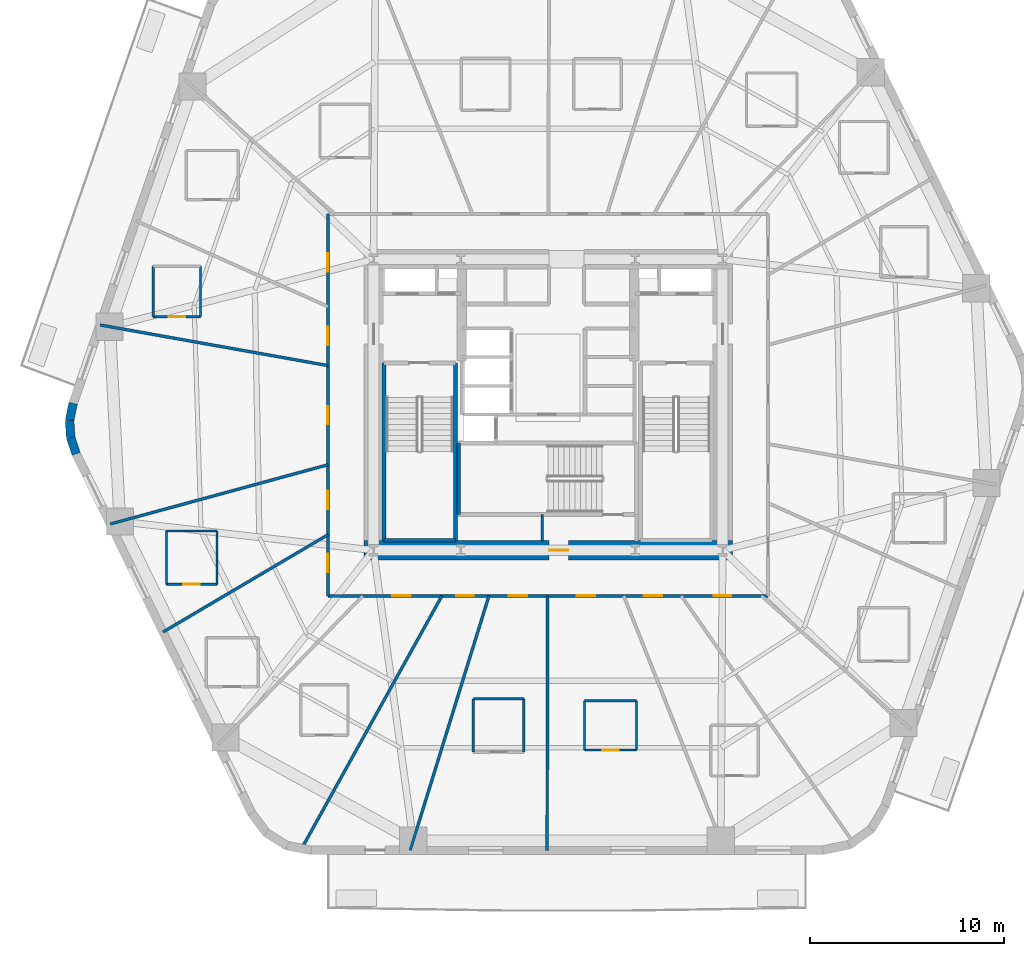
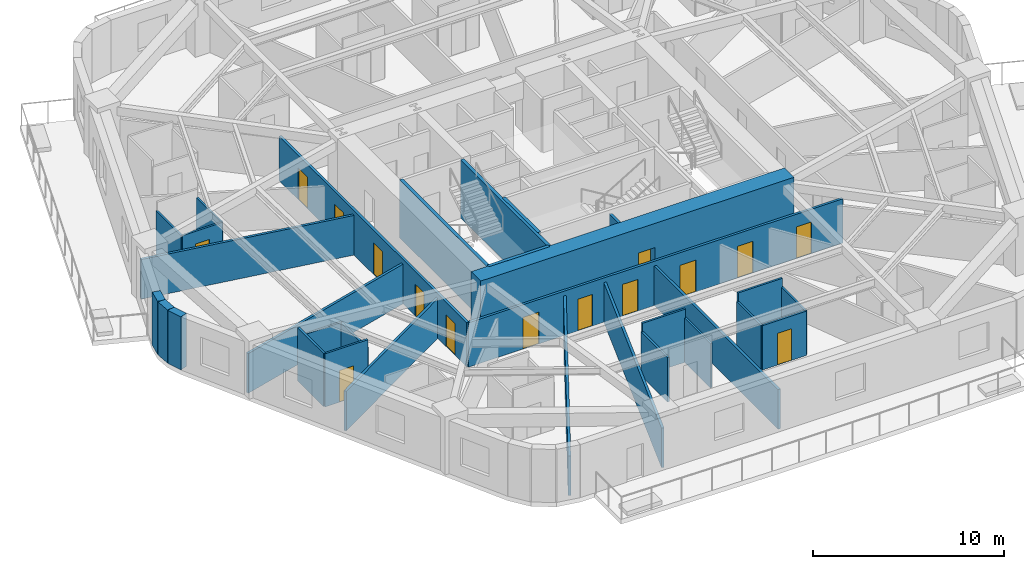
# One storey, part 3 of 11: 31 walls, 15 doors, 15 openings.
"""IFC4 building model written with IfcOpenShell, lengths in metres."""

from ifc_helpers import new_model, si_unit, direction, frame, frame_2d, origin, place, context, subcontext, project, spatial, rectangle, extrude, material, layer, layer_set, type_object, element, fill, save


model = new_model("IFC4")

# Units and contexts
model_context = context("Model", 3, precision=1e-05, world=origin(), true_north=direction((0.0, 1.0)))
body_context = subcontext(model_context, "Body", "Model", "MODEL_VIEW")
ifc_project = project(units=[si_unit("LENGTHUNIT", "METRE"), si_unit("AREAUNIT", "SQUARE_METRE"), si_unit("VOLUMEUNIT", "CUBIC_METRE"), si_unit("PLANEANGLEUNIT", "RADIAN"), si_unit("MASSUNIT", "GRAM", prefix="KILO")], contexts=[model_context])

# Site, building, storey
site_placement = place(None, origin())
site = spatial("IfcSite", under=ifc_project, at=site_placement, CompositionType="ELEMENT")
building_placement = place(site_placement, origin())
building = spatial("IfcBuilding", under=site, at=building_placement, Name="Kilnhurst Terrace Hotel", CompositionType="ELEMENT")
storey_placement = place(building_placement, frame((0.0, 0.0, 34.199951171875)))
storey = spatial("IfcBuildingStorey", under=building, at=storey_placement, Name="L06", CompositionType="ELEMENT", Elevation=34.199951171875)

# Walls
ifc_material_1 = material(Name="Precast concrete C40/50", Category="concrete")
ifc_layer_1 = layer(ifc_material_1, 0.449951171875, Name="Precast concrete C40/50")
ifc_layer_set_1 = layer_set([ifc_layer_1], Name="Precast concrete C40/50")
wall_type_1 = type_object("IfcWallType", Name="WL-BRK-450", PredefinedType="SOLIDWALL", material=ifc_layer_set_1)
wall_1_placement = place(storey_placement, frame((-24.49560546875, 0.07666015625, 0.0), z_axis=(0.0, 0.0, 1.0), x_axis=(-0.199570594521, -0.979883451132, 0.0)))
element("IfcWall", 1, at=wall_1_placement, inside=storey, type_object=wall_type_1, Name="L06 Rounded Corner Brick Wall C6.1", PredefinedType="SOLIDWALL", context=body_context, shape_type="SweptSolid", body=[
    extrude(rectangle(XDim=0.896728515625, YDim=0.449951171875, at=frame_2d((0.4482421875, 0.0))), origin(), (0.0, 0.0, 1.0), 3.400146484375),
])
wall_2_placement = place(storey_placement, frame((-24.674560546875, -0.802001953125, 0.0), z_axis=(0.0, 0.0, 1.0), x_axis=(0.061188874166, -0.998126205286, 0.0)))
element("IfcWall", 2, at=wall_2_placement, inside=storey, type_object=wall_type_1, Name="L06 Rounded Corner Brick Wall C6.2", PredefinedType="SOLIDWALL", context=body_context, shape_type="SweptSolid", body=[
    extrude(rectangle(XDim=0.8818359375, YDim=0.449951171875, at=frame_2d((0.44091796875, 0.0))), origin(), (0.0, 0.0, 1.0), 3.400146484375),
])
wall_3_placement = place(storey_placement, frame((-24.62060546875, -1.68212890625, 0.0), z_axis=(0.0, 0.0, 1.0), x_axis=(0.317697451681, -0.948192137278, 0.0)))
element("IfcWall", 3, at=wall_3_placement, inside=storey, type_object=wall_type_1, Name="L06 Rounded Corner Brick Wall C6.3", PredefinedType="SOLIDWALL", context=body_context, shape_type="SweptSolid", body=[
    extrude(rectangle(XDim=0.896728515625, YDim=0.449951171875, at=frame_2d((0.4482421875, 0.0))), origin(), (0.0, 0.0, 1.0), 3.400146484375),
])

# Wall, openings, doors
ifc_material_2 = material(Name="Acoustic Double-Gypsum Corridor Partition Assembly")
ifc_layer_2 = layer(ifc_material_2, 0.14990234375, Name="Acoustic Double-Gypsum Corridor Partition Assembly")
ifc_layer_set_2 = layer_set([ifc_layer_2], Name="Acoustic Double-Gypsum Corridor Partition Assembly")
wall_type_2 = type_object("IfcWallType", Name="WL-COR-150", PredefinedType="PARTITIONING", material=ifc_layer_set_2)
wall_4_placement = place(storey_placement, frame((-11.35009765625, -9.85009765625, 0.0), z_axis=(0.0, 0.0, 1.0), x_axis=(0.0, 1.0, 0.0)))
wall_4 = element("IfcWall", 4, at=wall_4_placement, inside=storey, type_object=wall_type_2, Name="L06 Interior Wall WL-L06-COR-01", PredefinedType="PARTITIONING", context=body_context, shape_type="SweptSolid", body=[
    extrude(rectangle(XDim=19.7001953125, YDim=0.14990234375, at=frame_2d((9.85009765625, 0.0))), origin(), (0.0, 0.0, 1.0), 2.840087890625),
])
opening_1_placement = place(wall_4_placement, frame((16.714111328125, 0.0, 0.0)))
opening_1 = element("IfcOpeningElement", 5, at=opening_1_placement, cuts=wall_4, Name="Opening D-60B", PredefinedType="OPENING", context=body_context, shape_type="SweptSolid", body=[
    extrude(rectangle(XDim=0.949951171875, YDim=2.030029296875, at=frame_2d((0.47509765625, 1.01513671875))), frame((0.0, 0.0849609375, 0.0), z_axis=(0.0, -1.0, 0.0), x_axis=(1.0, 0.0, 0.0)), (0.0, 0.0, 1.0), 0.169921875),
])
opening_2_placement = place(wall_4_placement, frame((12.931884765625, 0.0, 0.0)))
opening_2 = element("IfcOpeningElement", 6, at=opening_2_placement, cuts=wall_4, Name="Opening D-60B", PredefinedType="OPENING", context=body_context, shape_type="SweptSolid", body=[
    extrude(rectangle(XDim=0.949951171875, YDim=2.030029296875, at=frame_2d((0.47509765625, 1.01513671875))), frame((0.0, 0.0849609375, 0.0), z_axis=(0.0, -1.0, 0.0), x_axis=(1.0, 0.0, 0.0)), (0.0, 0.0, 1.0), 0.169921875),
])
opening_3_placement = place(wall_4_placement, frame((8.837890625, 0.0, 0.0)))
opening_3 = element("IfcOpeningElement", 7, at=opening_3_placement, cuts=wall_4, Name="Opening D-60B", PredefinedType="OPENING", context=body_context, shape_type="SweptSolid", body=[
    extrude(rectangle(XDim=0.949951171875, YDim=2.030029296875, at=frame_2d((0.47509765625, 1.01513671875))), frame((0.0, 0.0849609375, 0.0), z_axis=(0.0, -1.0, 0.0), x_axis=(1.0, 0.0, 0.0)), (0.0, 0.0, 1.0), 0.169921875),
])
opening_4_placement = place(wall_4_placement, frame((4.4609375, 0.0, 0.0)))
opening_4 = element("IfcOpeningElement", 8, at=opening_4_placement, cuts=wall_4, Name="Opening D-60B", PredefinedType="OPENING", context=body_context, shape_type="SweptSolid", body=[
    extrude(rectangle(XDim=0.949951171875, YDim=2.030029296875, at=frame_2d((0.47509765625, 1.01513671875))), frame((0.0, 0.0849609375, 0.0), z_axis=(0.0, -1.0, 0.0), x_axis=(1.0, 0.0, 0.0)), (0.0, 0.0, 1.0), 0.169921875),
])
opening_5_placement = place(wall_4_placement, frame((1.220947265625, 0.0, 0.0)))
opening_5 = element("IfcOpeningElement", 9, at=opening_5_placement, cuts=wall_4, Name="Opening D-60B", PredefinedType="OPENING", context=body_context, shape_type="SweptSolid", body=[
    extrude(rectangle(XDim=0.949951171875, YDim=2.030029296875, at=frame_2d((0.47509765625, 1.01513671875))), frame((0.0, 0.0849609375, 0.0), z_axis=(0.0, -1.0, 0.0), x_axis=(1.0, 0.0, 0.0)), (0.0, 0.0, 1.0), 0.169921875),
])
ifc_material_3 = material(Name="Acoustic Walnut Veneer Solid-Core Fire Door")
door_type_1 = type_object("IfcDoorType", Name="DR-FD60-950", OperationType="NOTDEFINED", PredefinedType="DOOR", material=ifc_material_3)
door_1_placement = place(opening_1_placement, origin())
door_1 = element("IfcDoor", 10, at=door_1_placement, inside=storey, type_object=door_type_1, Name="L06 Guest Room Entry Door 8", OperationType="SINGLE_SWING_RIGHT", OverallHeight=2.030029296875, OverallWidth=0.949951171875, PredefinedType="DOOR", context=body_context, shape_type="SweptSolid", body=[
    extrude(rectangle(XDim=0.949951171875, YDim=2.030029296875, at=frame_2d((0.47509765625, 1.01513671875))), frame((0.0, 0.02490234375, 0.0), z_axis=(0.0, -1.0, 0.0), x_axis=(1.0, 0.0, 0.0)), (0.0, 0.0, 1.0), 0.050048828125),
])
fill(opening_1, door_1)
door_2_placement = place(opening_2_placement, origin())
door_2 = element("IfcDoor", 11, at=door_2_placement, inside=storey, type_object=door_type_1, Name="L06 Guest Room Entry Door 9", OperationType="SINGLE_SWING_LEFT", OverallHeight=2.030029296875, OverallWidth=0.949951171875, PredefinedType="DOOR", context=body_context, shape_type="SweptSolid", body=[
    extrude(rectangle(XDim=0.949951171875, YDim=2.030029296875, at=frame_2d((0.47509765625, 1.01513671875))), frame((0.0, 0.02490234375, 0.0), z_axis=(0.0, -1.0, 0.0), x_axis=(1.0, 0.0, 0.0)), (0.0, 0.0, 1.0), 0.050048828125),
])
fill(opening_2, door_2)
door_3_placement = place(opening_3_placement, origin())
door_3 = element("IfcDoor", 12, at=door_3_placement, inside=storey, type_object=door_type_1, Name="L06 Club Reading Lounge Door", OperationType="SINGLE_SWING_RIGHT", OverallHeight=2.030029296875, OverallWidth=0.949951171875, PredefinedType="DOOR", context=body_context, shape_type="SweptSolid", body=[
    extrude(rectangle(XDim=0.949951171875, YDim=2.030029296875, at=frame_2d((0.47509765625, 1.01513671875))), frame((0.0, 0.02490234375, 0.0), z_axis=(0.0, -1.0, 0.0), x_axis=(1.0, 0.0, 0.0)), (0.0, 0.0, 1.0), 0.050048828125),
])
fill(opening_3, door_3)
door_4_placement = place(opening_4_placement, origin())
door_4 = element("IfcDoor", 13, at=door_4_placement, inside=storey, type_object=door_type_1, Name="L06 Guest Room Entry Door 11", OperationType="SINGLE_SWING_LEFT", OverallHeight=2.030029296875, OverallWidth=0.949951171875, PredefinedType="DOOR", context=body_context, shape_type="SweptSolid", body=[
    extrude(rectangle(XDim=0.949951171875, YDim=2.030029296875, at=frame_2d((0.47509765625, 1.01513671875))), frame((0.0, 0.02490234375, 0.0), z_axis=(0.0, -1.0, 0.0), x_axis=(1.0, 0.0, 0.0)), (0.0, 0.0, 1.0), 0.050048828125),
])
fill(opening_4, door_4)
door_5_placement = place(opening_5_placement, origin())
door_5 = element("IfcDoor", 14, at=door_5_placement, inside=storey, type_object=door_type_1, Name="L06 Guest Room Entry Door 12", OperationType="SINGLE_SWING_RIGHT", OverallHeight=2.030029296875, OverallWidth=0.949951171875, PredefinedType="DOOR", context=body_context, shape_type="SweptSolid", body=[
    extrude(rectangle(XDim=0.949951171875, YDim=2.030029296875, at=frame_2d((0.47509765625, 1.01513671875))), frame((0.0, 0.02490234375, 0.0), z_axis=(0.0, -1.0, 0.0), x_axis=(1.0, 0.0, 0.0)), (0.0, 0.0, 1.0), 0.050048828125),
])
fill(opening_5, door_5)

wall_5_placement = place(storey_placement, frame((11.35009765625, -9.85009765625, 0.0), z_axis=(0.0, 0.0, 1.0), x_axis=(-1.0, 0.0, 0.0)))
wall_5 = element("IfcWall", 15, at=wall_5_placement, inside=storey, type_object=wall_type_2, Name="L06 Interior Wall WL-L06-COR-04", PredefinedType="PARTITIONING", context=body_context, shape_type="SweptSolid", body=[
    extrude(rectangle(XDim=22.7001953125, YDim=0.14990234375, at=frame_2d((11.35009765625, 0.0))), origin(), (0.0, 0.0, 1.0), 2.840087890625),
])
opening_6_placement = place(wall_5_placement, frame((18.43603515625, 0.0, 0.0)))
opening_6 = element("IfcOpeningElement", 16, at=opening_6_placement, cuts=wall_5, Name="Opening D-60B", PredefinedType="OPENING", context=body_context, shape_type="SweptSolid", body=[
    extrude(rectangle(XDim=0.949951171875, YDim=2.030029296875, at=frame_2d((0.47509765625, 1.01513671875))), frame((0.0, 0.0849609375, 0.0), z_axis=(0.0, -1.0, 0.0), x_axis=(1.0, 0.0, 0.0)), (0.0, 0.0, 1.0), 0.169921875),
])
opening_7_placement = place(wall_5_placement, frame((15.176025390625, 0.0, 0.0)))
opening_7 = element("IfcOpeningElement", 17, at=opening_7_placement, cuts=wall_5, Name="Opening D-60C", PredefinedType="OPENING", context=body_context, shape_type="SweptSolid", body=[
    extrude(rectangle(XDim=0.89990234375, YDim=2.030029296875, at=frame_2d((0.449951171875, 1.01513671875))), frame((0.0, 0.0849609375, 0.0), z_axis=(0.0, -1.0, 0.0), x_axis=(1.0, 0.0, 0.0)), (0.0, 0.0, 1.0), 0.169921875),
])
opening_8_placement = place(wall_5_placement, frame((12.4150390625, 0.0, 0.0)))
opening_8 = element("IfcOpeningElement", 18, at=opening_8_placement, cuts=wall_5, Name="Opening D-60B", PredefinedType="OPENING", context=body_context, shape_type="SweptSolid", body=[
    extrude(rectangle(XDim=0.949951171875, YDim=2.030029296875, at=frame_2d((0.47509765625, 1.01513671875))), frame((0.0, 0.0849609375, 0.0), z_axis=(0.0, -1.0, 0.0), x_axis=(1.0, 0.0, 0.0)), (0.0, 0.0, 1.0), 0.169921875),
])
opening_9_placement = place(wall_5_placement, frame((8.925048828125, 0.0, 0.0)))
opening_9 = element("IfcOpeningElement", 19, at=opening_9_placement, cuts=wall_5, Name="Opening D-60B", PredefinedType="OPENING", context=body_context, shape_type="SweptSolid", body=[
    extrude(rectangle(XDim=0.949951171875, YDim=2.030029296875, at=frame_2d((0.47509765625, 1.01513671875))), frame((0.0, 0.0849609375, 0.0), z_axis=(0.0, -1.0, 0.0), x_axis=(1.0, 0.0, 0.0)), (0.0, 0.0, 1.0), 0.169921875),
])
opening_10_placement = place(wall_5_placement, frame((5.462890625, 0.0, 0.0)))
opening_10 = element("IfcOpeningElement", 20, at=opening_10_placement, cuts=wall_5, Name="Opening D-60B", PredefinedType="OPENING", context=body_context, shape_type="SweptSolid", body=[
    extrude(rectangle(XDim=0.949951171875, YDim=2.030029296875, at=frame_2d((0.47509765625, 1.01513671875))), frame((0.0, 0.0849609375, 0.0), z_axis=(0.0, -1.0, 0.0), x_axis=(1.0, 0.0, 0.0)), (0.0, 0.0, 1.0), 0.169921875),
])
opening_11_placement = place(wall_5_placement, frame((1.909912109375, 0.0, 0.0)))
opening_11 = element("IfcOpeningElement", 21, at=opening_11_placement, cuts=wall_5, Name="Opening D-60C", PredefinedType="OPENING", context=body_context, shape_type="SweptSolid", body=[
    extrude(rectangle(XDim=0.89990234375, YDim=2.030029296875, at=frame_2d((0.449951171875, 1.01513671875))), frame((0.0, 0.0849609375, 0.0), z_axis=(0.0, -1.0, 0.0), x_axis=(1.0, 0.0, 0.0)), (0.0, 0.0, 1.0), 0.169921875),
])
ifc_material_4 = material(Name="Painted Solid-Core Service Fire Door")
door_type_2 = type_object("IfcDoorType", Name="DR-FD60-900", OperationType="NOTDEFINED", PredefinedType="DOOR", material=ifc_material_4)
door_6_placement = place(opening_7_placement, origin())
door_6 = element("IfcDoor", 22, at=door_6_placement, inside=storey, type_object=door_type_2, Name="L06 Executive Work Office Door 14", OperationType="SINGLE_SWING_RIGHT", OverallHeight=2.030029296875, OverallWidth=0.89990234375, PredefinedType="DOOR", context=body_context, shape_type="SweptSolid", body=[
    extrude(rectangle(XDim=0.89990234375, YDim=2.030029296875, at=frame_2d((0.449951171875, 1.01513671875))), frame((0.0, 0.02490234375, 0.0), z_axis=(0.0, -1.0, 0.0), x_axis=(1.0, 0.0, 0.0)), (0.0, 0.0, 1.0), 0.050048828125),
])
fill(opening_7, door_6)
door_7_placement = place(opening_11_placement, origin())
door_7 = element("IfcDoor", 23, at=door_7_placement, inside=storey, type_object=door_type_2, Name="L06 Botanical Reading Lounge Door 18", OperationType="SINGLE_SWING_RIGHT", OverallHeight=2.030029296875, OverallWidth=0.89990234375, PredefinedType="DOOR", context=body_context, shape_type="SweptSolid", body=[
    extrude(rectangle(XDim=0.89990234375, YDim=2.030029296875, at=frame_2d((0.449951171875, 1.01513671875))), frame((0.0, 0.02490234375, 0.0), z_axis=(0.0, -1.0, 0.0), x_axis=(1.0, 0.0, 0.0)), (0.0, 0.0, 1.0), 0.050048828125),
])
fill(opening_11, door_7)
door_8_placement = place(opening_6_placement, origin())
door_8 = element("IfcDoor", 24, at=door_8_placement, inside=storey, type_object=door_type_1, Name="L06 Guest Room Entry Door 13", OperationType="SINGLE_SWING_LEFT", OverallHeight=2.030029296875, OverallWidth=0.949951171875, PredefinedType="DOOR", context=body_context, shape_type="SweptSolid", body=[
    extrude(rectangle(XDim=0.949951171875, YDim=2.030029296875, at=frame_2d((0.47509765625, 1.01513671875))), frame((0.0, 0.02490234375, 0.0), z_axis=(0.0, -1.0, 0.0), x_axis=(1.0, 0.0, 0.0)), (0.0, 0.0, 1.0), 0.050048828125),
])
fill(opening_6, door_8)
door_9_placement = place(opening_8_placement, origin())
door_9 = element("IfcDoor", 25, at=door_9_placement, inside=storey, type_object=door_type_1, Name="L06 Guest Room Entry Door 15", OperationType="SINGLE_SWING_LEFT", OverallHeight=2.030029296875, OverallWidth=0.949951171875, PredefinedType="DOOR", context=body_context, shape_type="SweptSolid", body=[
    extrude(rectangle(XDim=0.949951171875, YDim=2.030029296875, at=frame_2d((0.47509765625, 1.01513671875))), frame((0.0, 0.02490234375, 0.0), z_axis=(0.0, -1.0, 0.0), x_axis=(1.0, 0.0, 0.0)), (0.0, 0.0, 1.0), 0.050048828125),
])
fill(opening_8, door_9)
door_10_placement = place(opening_9_placement, origin())
door_10 = element("IfcDoor", 26, at=door_10_placement, inside=storey, type_object=door_type_1, Name="L06 Executive Suite Entry Door 16", OperationType="SINGLE_SWING_RIGHT", OverallHeight=2.030029296875, OverallWidth=0.949951171875, PredefinedType="DOOR", context=body_context, shape_type="SweptSolid", body=[
    extrude(rectangle(XDim=0.949951171875, YDim=2.030029296875, at=frame_2d((0.47509765625, 1.01513671875))), frame((0.0, 0.02490234375, 0.0), z_axis=(0.0, -1.0, 0.0), x_axis=(1.0, 0.0, 0.0)), (0.0, 0.0, 1.0), 0.050048828125),
])
fill(opening_9, door_10)
door_11_placement = place(opening_10_placement, origin())
door_11 = element("IfcDoor", 27, at=door_11_placement, inside=storey, type_object=door_type_1, Name="L06 Guest Room Entry Door 17", OperationType="SINGLE_SWING_LEFT", OverallHeight=2.030029296875, OverallWidth=0.949951171875, PredefinedType="DOOR", context=body_context, shape_type="SweptSolid", body=[
    extrude(rectangle(XDim=0.949951171875, YDim=2.030029296875, at=frame_2d((0.47509765625, 1.01513671875))), frame((0.0, 0.02490234375, 0.0), z_axis=(0.0, -1.0, 0.0), x_axis=(1.0, 0.0, 0.0)), (0.0, 0.0, 1.0), 0.050048828125),
])
fill(opening_10, door_11)

# Wall, opening, door
ifc_material_5 = material(Name="Concrete C80/95", Category="concrete")
ifc_layer_3 = layer(ifc_material_5, 1.0, Name="Concrete C80/95")
ifc_layer_set_3 = layer_set([ifc_layer_3], Name="Concrete C80/95")
wall_type_3 = type_object("IfcWallType", Name="WL-CORE-1000", PredefinedType="SHEAR", material=ifc_layer_set_3)
wall_6_placement = place(storey_placement, frame((-9.5, -7.5, 0.0), z_axis=(0.0, 0.0, 1.0), x_axis=(1.0, 0.0, 0.0)))
wall_6 = element("IfcWall", 28, at=wall_6_placement, inside=storey, type_object=wall_type_3, Name="L06 Core South Shear Wall", PredefinedType="SHEAR", context=body_context, shape_type="SweptSolid", body=[
    extrude(rectangle(XDim=19.0, YDim=1.0, at=frame_2d((9.5, 0.0))), origin(), (0.0, 0.0, 1.0), 3.699951171875),
])
opening_12_placement = place(wall_6_placement, frame((9.550048828125, 0.0, 0.0)))
opening_12 = element("IfcOpeningElement", 29, at=opening_12_placement, cuts=wall_6, Name="Opening D-90B", PredefinedType="OPENING", context=body_context, shape_type="SweptSolid", body=[
    extrude(rectangle(XDim=1.0, YDim=2.14990234375, at=frame_2d((0.5, 1.074951171875))), frame((0.0, 0.510009765625, 0.0), z_axis=(0.0, -1.0, 0.0), x_axis=(1.0, 0.0, 0.0)), (0.0, 0.0, 1.0), 1.02001953125),
])
ifc_material_6 = material(Name="Painted Hollow Metal Steel ASTM A36 Fire Door", Category="steel")
door_type_3 = type_object("IfcDoorType", Name="DR-FD90-1000", OperationType="NOTDEFINED", PredefinedType="DOOR", material=ifc_material_6)
door_12_placement = place(opening_12_placement, origin())
door_12 = element("IfcDoor", 30, at=door_12_placement, inside=storey, type_object=door_type_3, Name="L06 Stair ST-3 Corridor Door", OperationType="SINGLE_SWING_RIGHT", OverallHeight=2.14990234375, OverallWidth=1.0, PredefinedType="DOOR", context=body_context, shape_type="SweptSolid", body=[
    extrude(rectangle(XDim=1.0, YDim=2.14990234375, at=frame_2d((0.5, 1.074951171875))), frame((0.0, 0.02490234375, 0.0), z_axis=(0.0, -1.0, 0.0), x_axis=(1.0, 0.0, 0.0)), (0.0, 0.0, 1.0), 0.050048828125),
])
fill(opening_12, door_12)

# Walls
ifc_material_7 = material(Name="STC-58 Acoustic Twin-Frame Guestroom Demising Partition")
ifc_layer_4 = layer(ifc_material_7, 0.14990234375, Name="STC-58 Acoustic Twin-Frame Guestroom Demising Partition")
ifc_layer_set_4 = layer_set([ifc_layer_4], Name="STC-58 Acoustic Twin-Frame Guestroom Demising Partition")
wall_type_4 = type_object("IfcWallType", Name="WL-DEM-150", PredefinedType="PARTITIONING", material=ifc_layer_set_4)
wall_7_placement = place(storey_placement, frame((-11.35009765625, 2.022705078125, 0.0), z_axis=(0.0, 0.0, 1.0), x_axis=(-0.984493741877, 0.17541970301, 0.0)))
element("IfcWall", 31, at=wall_7_placement, inside=storey, type_object=wall_type_4, Name="L06 Interior Wall WL-L06-DEM-COL06-10-1", PredefinedType="PARTITIONING", context=body_context, shape_type="SweptSolid", body=[
    extrude(rectangle(XDim=11.93701171875, YDim=0.14990234375, at=frame_2d((5.968505859375, 0.0))), origin(), (0.0, 0.0, 1.0), 2.5400390625),
])
wall_8_placement = place(storey_placement, frame((-11.35009765625, -3.0908203125, 0.0), z_axis=(0.0, 0.0, 1.0), x_axis=(-0.964859685283, -0.262765651704, 0.0)))
element("IfcWall", 32, at=wall_8_placement, inside=storey, type_object=wall_type_4, Name="L06 Interior Wall WL-L06-DEM-COL07-11-1", PredefinedType="PARTITIONING", context=body_context, shape_type="SweptSolid", body=[
    extrude(rectangle(XDim=11.62890625, YDim=0.14990234375, at=frame_2d((5.814453125, 0.0))), origin(), (0.0, 0.0, 1.0), 2.5400390625),
])
wall_9_placement = place(storey_placement, frame((-11.35009765625, -6.698486328125, 0.0), z_axis=(0.0, 0.0, 1.0), x_axis=(-0.861198232886, -0.508269223614, 0.0)))
element("IfcWall", 33, at=wall_9_placement, inside=storey, type_object=wall_type_4, Name="L06 Interior Wall WL-L06-DEM-MID07-12-1", PredefinedType="PARTITIONING", context=body_context, shape_type="SweptSolid", body=[
    extrude(rectangle(XDim=9.869873046875, YDim=0.14990234375, at=frame_2d((4.93505859375, 0.0))), origin(), (0.0, 0.0, 1.0), 2.5400390625),
])
wall_10_placement = place(storey_placement, frame((-5.470703125, -9.85009765625, 0.0), z_axis=(0.0, 0.0, 1.0), x_axis=(-0.48553323157, -0.874218211341, 0.0)))
element("IfcWall", 34, at=wall_10_placement, inside=storey, type_object=wall_type_4, Name="L06 Interior Wall WL-L06-DEM-MID08-14-1", PredefinedType="PARTITIONING", context=body_context, shape_type="SweptSolid", body=[
    extrude(rectangle(XDim=14.739501953125, YDim=0.14990234375, at=frame_2d((7.36962890625, 0.0))), origin(), (0.0, 0.0, 1.0), 2.5400390625),
])
wall_11_placement = place(storey_placement, frame((-3.047607421875, -9.85009765625, 0.0), z_axis=(0.0, 0.0, 1.0), x_axis=(-0.295553992761, -0.955326037206, 0.0)))
element("IfcWall", 35, at=wall_11_placement, inside=storey, type_object=wall_type_4, Name="L06 Interior Wall WL-L06-DEM-COL09-15-1", PredefinedType="PARTITIONING", context=body_context, shape_type="SweptSolid", body=[
    extrude(rectangle(XDim=13.73876953125, YDim=0.14990234375, at=frame_2d((6.869384765625, 0.0))), origin(), (0.0, 0.0, 1.0), 2.5400390625),
])
wall_12_placement = place(storey_placement, frame((-0.0205078125, -9.85009765625, 0.0), z_axis=(0.0, 0.0, 1.0), x_axis=(-0.002064727742, -0.999997868447, 0.0)))
element("IfcWall", 36, at=wall_12_placement, inside=storey, type_object=wall_type_4, Name="L06 Interior Wall WL-L06-DEM-MID09-16-1", PredefinedType="PARTITIONING", context=body_context, shape_type="SweptSolid", body=[
    extrude(rectangle(XDim=13.125, YDim=0.14990234375, at=frame_2d((6.5625, 0.0))), origin(), (0.0, 0.0, 1.0), 2.5400390625),
])

# Wall, opening, door
ifc_material_8 = material(Name="120 mm Moisture-Resistant Tile-Backed Bathroom Partition")
ifc_layer_5 = layer(ifc_material_8, 0.1201171875, Name="120 mm Moisture-Resistant Tile-Backed Bathroom Partition")
ifc_layer_set_5 = layer_set([ifc_layer_5], Name="120 mm Moisture-Resistant Tile-Backed Bathroom Partition")
wall_type_5 = type_object("IfcWallType", Name="WL-PART-120", PredefinedType="PARTITIONING", material=ifc_layer_set_5)
wall_13_placement = place(storey_placement, frame((-20.368896484375, 4.5439453125, 0.0), z_axis=(0.0, 0.0, 1.0), x_axis=(1.0, 0.0, 0.0)))
wall_13 = element("IfcWall", 37, at=wall_13_placement, inside=storey, type_object=wall_type_5, Name="L06 Interior Wall WL-L06-BTH-09-1", PredefinedType="PARTITIONING", context=body_context, shape_type="SweptSolid", body=[
    extrude(rectangle(XDim=2.43994140625, YDim=0.1201171875, at=frame_2d((1.219970703125, 0.0))), origin(), (0.0, 0.0, 1.0), 2.840087890625),
])
opening_13_placement = place(wall_13_placement, frame((0.794921875, 0.0, 0.0)))
opening_13 = element("IfcOpeningElement", 38, at=opening_13_placement, cuts=wall_13, Name="Opening D-08A", PredefinedType="OPENING", context=body_context, shape_type="SweptSolid", body=[
    extrude(rectangle(XDim=0.85009765625, YDim=2.030029296875, at=frame_2d((0.425048828125, 1.01513671875))), frame((0.0, 0.070068359375, 0.0), z_axis=(0.0, -1.0, 0.0), x_axis=(1.0, 0.0, 0.0)), (0.0, 0.0, 1.0), 0.14013671875),
])
ifc_material_9 = material(Name="Moisture-Resistant Lacquered En-suite Bathroom Door")
door_type_4 = type_object("IfcDoorType", Name="DR-INT-850", OperationType="NOTDEFINED", PredefinedType="DOOR", material=ifc_material_9)
door_13_placement = place(opening_13_placement, origin())
door_13 = element("IfcDoor", 39, at=door_13_placement, inside=storey, type_object=door_type_4, Name="L06 En-suite Bathroom Door 9", OperationType="SINGLE_SWING_RIGHT", OverallHeight=2.030029296875, OverallWidth=0.85009765625, PredefinedType="DOOR", context=body_context, shape_type="SweptSolid", body=[
    extrude(rectangle(XDim=0.85009765625, YDim=2.030029296875, at=frame_2d((0.425048828125, 1.01513671875))), frame((0.0, 0.02490234375, 0.0), z_axis=(0.0, -1.0, 0.0), x_axis=(1.0, 0.0, 0.0)), (0.0, 0.0, 1.0), 0.050048828125),
])
fill(opening_13, door_13)

# Walls
for number, where, z_axis, x_axis, name in (
    (40, (-17.928955078125, 4.5439453125, 0.0), (0.0, 0.0, 1.0), (0.0, 1.0, 0.0), "L06 Interior Wall WL-L06-BTH-09-2"),
    (41, (-20.368896484375, 7.154052734375, 0.0), (0.0, 0.0, 1.0), (0.0, -1.0, 0.0), "L06 Interior Wall WL-L06-BTH-09-4"),
):
    element("IfcWall", number, at=place(storey_placement, frame(where, z_axis=z_axis, x_axis=x_axis)), inside=storey, type_object=wall_type_5, Name=name, PredefinedType="PARTITIONING", context=body_context, shape_type="SweptSolid", body=[
        extrude(rectangle(XDim=2.610107421875, YDim=0.1201171875, at=frame_2d((1.30517578125, 0.0))), origin(), (0.0, 0.0, 1.0), 2.840087890625),
    ])

# Wall, opening, door
wall_14_placement = place(storey_placement, frame((-19.677978515625, -9.2548828125, 0.0), z_axis=(0.0, 0.0, 1.0), x_axis=(1.0, 0.0, 0.0)))
wall_14 = element("IfcWall", 42, at=wall_14_placement, inside=storey, type_object=wall_type_5, Name="L06 Interior Wall WL-L06-BTH-11-1", PredefinedType="PARTITIONING", context=body_context, shape_type="SweptSolid", body=[
    extrude(rectangle(XDim=2.60009765625, YDim=0.1201171875, at=frame_2d((1.300048828125, 0.0))), origin(), (0.0, 0.0, 1.0), 3.400146484375),
])
opening_14_placement = place(wall_14_placement, frame((0.875, 0.0, 0.0)))
opening_14 = element("IfcOpeningElement", 43, at=opening_14_placement, cuts=wall_14, Name="Opening D-08A", PredefinedType="OPENING", context=body_context, shape_type="SweptSolid", body=[
    extrude(rectangle(XDim=0.85009765625, YDim=2.030029296875, at=frame_2d((0.425048828125, 1.01513671875))), frame((0.0, 0.070068359375, 0.0), z_axis=(0.0, -1.0, 0.0), x_axis=(1.0, 0.0, 0.0)), (0.0, 0.0, 1.0), 0.14013671875),
])
door_14_placement = place(opening_14_placement, origin())
door_14 = element("IfcDoor", 44, at=door_14_placement, inside=storey, type_object=door_type_4, Name="L06 En-suite Bathroom Door 11", OperationType="SINGLE_SWING_RIGHT", OverallHeight=2.030029296875, OverallWidth=0.85009765625, PredefinedType="DOOR", context=body_context, shape_type="SweptSolid", body=[
    extrude(rectangle(XDim=0.85009765625, YDim=2.030029296875, at=frame_2d((0.425048828125, 1.01513671875))), frame((0.0, 0.02490234375, 0.0), z_axis=(0.0, -1.0, 0.0), x_axis=(1.0, 0.0, 0.0)), (0.0, 0.0, 1.0), 0.050048828125),
])
fill(opening_14, door_14)

# Walls
wall_15_placement = place(storey_placement, frame((-17.077880859375, -9.2548828125, 0.0), z_axis=(0.0, 0.0, 1.0), x_axis=(0.0, 1.0, 0.0)))
element("IfcWall", 45, at=wall_15_placement, inside=storey, type_object=wall_type_5, Name="L06 Interior Wall WL-L06-BTH-11-2", PredefinedType="PARTITIONING", context=body_context, shape_type="SweptSolid", body=[
    extrude(rectangle(XDim=2.75, YDim=0.1201171875, at=frame_2d((1.375, 0.0))), origin(), (0.0, 0.0, 1.0), 2.840087890625),
])
wall_16_placement = place(storey_placement, frame((-17.077880859375, -6.5048828125, 0.0), z_axis=(0.0, 0.0, 1.0), x_axis=(-1.0, 0.0, 0.0)))
element("IfcWall", 46, at=wall_16_placement, inside=storey, type_object=wall_type_5, Name="L06 Interior Wall WL-L06-BTH-11-3", PredefinedType="PARTITIONING", context=body_context, shape_type="SweptSolid", body=[
    extrude(rectangle(XDim=2.60009765625, YDim=0.1201171875, at=frame_2d((1.300048828125, 0.0))), origin(), (0.0, 0.0, 1.0), 2.840087890625),
])
wall_17_placement = place(storey_placement, frame((-19.677978515625, -6.5048828125, 0.0), z_axis=(0.0, 0.0, 1.0), x_axis=(0.0, -1.0, 0.0)))
element("IfcWall", 47, at=wall_17_placement, inside=storey, type_object=wall_type_5, Name="L06 Interior Wall WL-L06-BTH-11-4", PredefinedType="PARTITIONING", context=body_context, shape_type="SweptSolid", body=[
    extrude(rectangle(XDim=2.75, YDim=0.1201171875, at=frame_2d((1.375, 0.0))), origin(), (0.0, 0.0, 1.0), 3.400146484375),
])
wall_18_placement = place(storey_placement, frame((-1.2509765625, -17.912109375, 0.0), z_axis=(0.0, 0.0, 1.0), x_axis=(0.0, 1.0, 0.0)))
element("IfcWall", 48, at=wall_18_placement, inside=storey, type_object=wall_type_5, Name="L06 Interior Wall WL-L06-BTH-15-2", PredefinedType="PARTITIONING", context=body_context, shape_type="SweptSolid", body=[
    extrude(rectangle(XDim=2.75, YDim=0.1201171875, at=frame_2d((1.375, 0.0))), origin(), (0.0, 0.0, 1.0), 2.840576171875),
])
wall_19_placement = place(storey_placement, frame((-1.2509765625, -15.162109375, 0.0), z_axis=(0.0, 0.0, 1.0), x_axis=(-1.0, 0.0, 0.0)))
element("IfcWall", 49, at=wall_19_placement, inside=storey, type_object=wall_type_5, Name="L06 Interior Wall WL-L06-BTH-15-3", PredefinedType="PARTITIONING", context=body_context, shape_type="SweptSolid", body=[
    extrude(rectangle(XDim=2.60009765625, YDim=0.1201171875, at=frame_2d((1.300048828125, 0.0))), origin(), (0.0, 0.0, 1.0), 3.400146484375),
])
wall_20_placement = place(storey_placement, frame((-3.85107421875, -15.162109375, 0.0), z_axis=(0.0, 0.0, 1.0), x_axis=(0.0, -1.0, 0.0)))
element("IfcWall", 50, at=wall_20_placement, inside=storey, type_object=wall_type_5, Name="L06 Interior Wall WL-L06-BTH-15-4", PredefinedType="PARTITIONING", context=body_context, shape_type="SweptSolid", body=[
    extrude(rectangle(XDim=2.75, YDim=0.1201171875, at=frame_2d((1.375, 0.0))), origin(), (0.0, 0.0, 1.0), 2.840576171875),
])

# Wall, opening, door
wall_21_placement = place(storey_placement, frame((1.87890625, -17.806884765625, 0.0), z_axis=(0.0, 0.0, 1.0), x_axis=(1.0, 0.0, 0.0)))
wall_21 = element("IfcWall", 51, at=wall_21_placement, inside=storey, type_object=wall_type_5, Name="L06 Interior Wall WL-L06-BTH-16-1", PredefinedType="PARTITIONING", context=body_context, shape_type="SweptSolid", body=[
    extrude(rectangle(XDim=2.68017578125, YDim=0.1201171875, at=frame_2d((1.340087890625, 0.0))), origin(), (0.0, 0.0, 1.0), 2.840576171875),
])
opening_15_placement = place(wall_21_placement, frame((0.9150390625, 0.0, 0.0)))
opening_15 = element("IfcOpeningElement", 52, at=opening_15_placement, cuts=wall_21, Name="Opening D-08A", PredefinedType="OPENING", context=body_context, shape_type="SweptSolid", body=[
    extrude(rectangle(XDim=0.85009765625, YDim=2.030029296875, at=frame_2d((0.425048828125, 1.01513671875))), frame((0.0, 0.070068359375, 0.0), z_axis=(0.0, -1.0, 0.0), x_axis=(1.0, 0.0, 0.0)), (0.0, 0.0, 1.0), 0.14013671875),
])
door_15_placement = place(opening_15_placement, origin())
door_15 = element("IfcDoor", 53, at=door_15_placement, inside=storey, type_object=door_type_4, Name="L06 En-suite Bathroom Door 16", OperationType="SINGLE_SWING_LEFT", OverallHeight=2.030029296875, OverallWidth=0.85009765625, PredefinedType="DOOR", context=body_context, shape_type="SweptSolid", body=[
    extrude(rectangle(XDim=0.85009765625, YDim=2.030029296875, at=frame_2d((0.425048828125, 1.01513671875))), frame((0.0, 0.02490234375, 0.0), z_axis=(0.0, -1.0, 0.0), x_axis=(1.0, 0.0, 0.0)), (0.0, 0.0, 1.0), 0.050048828125),
])
fill(opening_15, door_15)

# Walls
wall_22_placement = place(storey_placement, frame((4.55908203125, -17.806884765625, 0.0), z_axis=(0.0, 0.0, 1.0), x_axis=(0.0, 1.0, 0.0)))
element("IfcWall", 54, at=wall_22_placement, inside=storey, type_object=wall_type_5, Name="L06 Interior Wall WL-L06-BTH-16-2", PredefinedType="PARTITIONING", context=body_context, shape_type="SweptSolid", body=[
    extrude(rectangle(XDim=2.539794921875, YDim=0.1201171875, at=frame_2d((1.27001953125, 0.0))), origin(), (0.0, 0.0, 1.0), 2.840576171875),
])
wall_23_placement = place(storey_placement, frame((4.55908203125, -15.26708984375, 0.0), z_axis=(0.0, 0.0, 1.0), x_axis=(-1.0, 0.0, 0.0)))
element("IfcWall", 55, at=wall_23_placement, inside=storey, type_object=wall_type_5, Name="L06 Interior Wall WL-L06-BTH-16-3", PredefinedType="PARTITIONING", context=body_context, shape_type="SweptSolid", body=[
    extrude(rectangle(XDim=2.68017578125, YDim=0.1201171875, at=frame_2d((1.340087890625, 0.0))), origin(), (0.0, 0.0, 1.0), 3.400146484375),
])
wall_24_placement = place(storey_placement, frame((1.87890625, -15.26708984375, 0.0), z_axis=(0.0, 0.0, 1.0), x_axis=(0.0, -1.0, 0.0)))
element("IfcWall", 56, at=wall_24_placement, inside=storey, type_object=wall_type_5, Name="L06 Interior Wall WL-L06-BTH-16-4", PredefinedType="PARTITIONING", context=body_context, shape_type="SweptSolid", body=[
    extrude(rectangle(XDim=2.539794921875, YDim=0.1201171875, at=frame_2d((1.27001953125, 0.0))), origin(), (0.0, 0.0, 1.0), 2.840576171875),
])
ifc_material_10 = material(Name="Fire-Rated Gypsum Shaftliner Assembly")
ifc_layer_6 = layer(ifc_material_10, 0.14990234375, Name="Fire-Rated Gypsum Shaftliner Assembly")
ifc_layer_set_6 = layer_set([ifc_layer_6], Name="Fire-Rated Gypsum Shaftliner Assembly")
wall_type_6 = type_object("IfcWallType", Name="WL-SHAFT-150", PredefinedType="PARTITIONING", material=ifc_layer_set_6)
wall_25_placement = place(storey_placement, frame((-0.300048828125, -7.02001953125, 0.0), z_axis=(0.0, 0.0, 1.0), x_axis=(0.0, 1.0, 0.0)))
element("IfcWall", 57, at=wall_25_placement, inside=storey, type_object=wall_type_6, Name="L06 Interior Wall WL-L06-ST3-PSGW", PredefinedType="PARTITIONING", context=body_context, shape_type="SweptSolid", body=[
    extrude(rectangle(XDim=1.362060546875, YDim=0.14990234375, at=frame_2d((0.68115234375, 0.0))), origin(), (0.0, 0.0, 1.0), 3.400146484375),
])
ifc_material_11 = material(Name="Concrete C50/60", Category="concrete")
ifc_layer_7 = layer(ifc_material_11, 0.199951171875, Name="Concrete C50/60")
ifc_layer_set_7 = layer_set([ifc_layer_7], Name="Concrete C50/60")
wall_type_7 = type_object("IfcWallType", Name="WL-STAIR-RC-200", PredefinedType="SHEAR", material=ifc_layer_set_7)
for number, where, z_axis, x_axis, name in (
    (58, (-8.4580078125, -6.985107421875, 0.0), (0.0, 0.0, 1.0), (0.0, 1.0, 0.0), "L06 Structural Stair Shaft Wall WL-L06-ST1-W"),
    (59, (-4.77197265625, -6.985107421875, 0.0), (0.0, 0.0, 1.0), (0.0, 1.0, 0.0), "L06 Structural Stair Shaft Wall WL-L06-ST1-E"),
):
    element("IfcWall", number, at=place(storey_placement, frame(where, z_axis=z_axis, x_axis=x_axis)), inside=storey, type_object=wall_type_7, Name=name, PredefinedType="SHEAR", context=body_context, shape_type="SweptSolid", body=[
        extrude(rectangle(XDim=9.14306640625, YDim=0.199951171875, at=frame_2d((4.571533203125, 0.0))), origin(), (0.0, 0.0, 1.0), 3.699951171875),
    ])
for number, where, z_axis, x_axis, name in (
    (60, (-8.4580078125, -6.985107421875, 0.0), (0.0, 0.0, 1.0), (1.0, 0.0, 0.0), "L06 Structural Stair Shaft Wall WL-L06-ST1-S"),
    (61, (-4.60791015625, -5.657958984375, 0.0), (0.0, 0.0, 1.0), (0.0, 1.0, 0.0), "L06 Structural Stair Shaft Wall WL-L06-ST3-W"),
):
    element("IfcWall", number, at=place(storey_placement, frame(where, z_axis=z_axis, x_axis=x_axis)), inside=storey, type_object=wall_type_7, Name=name, PredefinedType="SHEAR", context=body_context, shape_type="SweptSolid", body=[
        extrude(rectangle(XDim=3.68603515625, YDim=0.199951171875, at=frame_2d((1.843017578125, 0.0))), origin(), (0.0, 0.0, 1.0), 3.699951171875),
    ])

save(model, "model.ifc")
